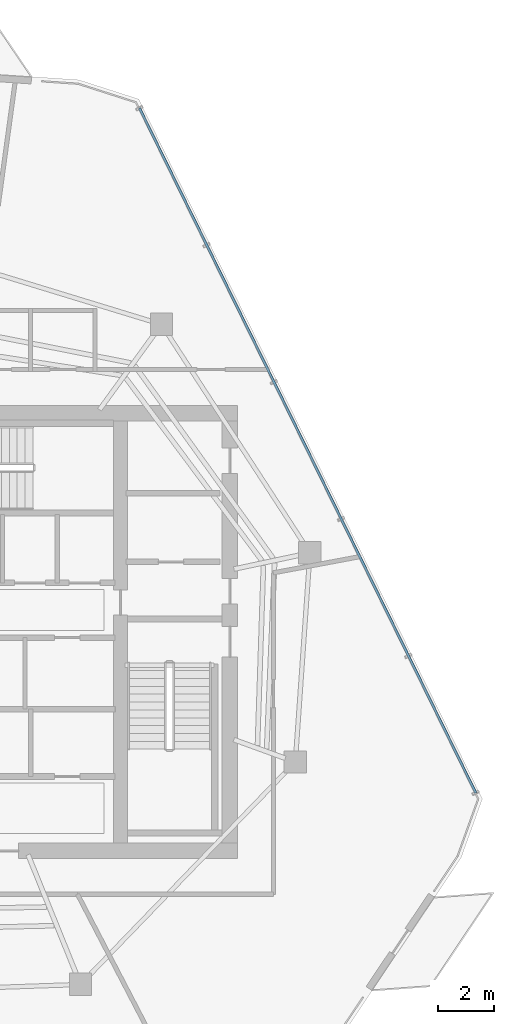
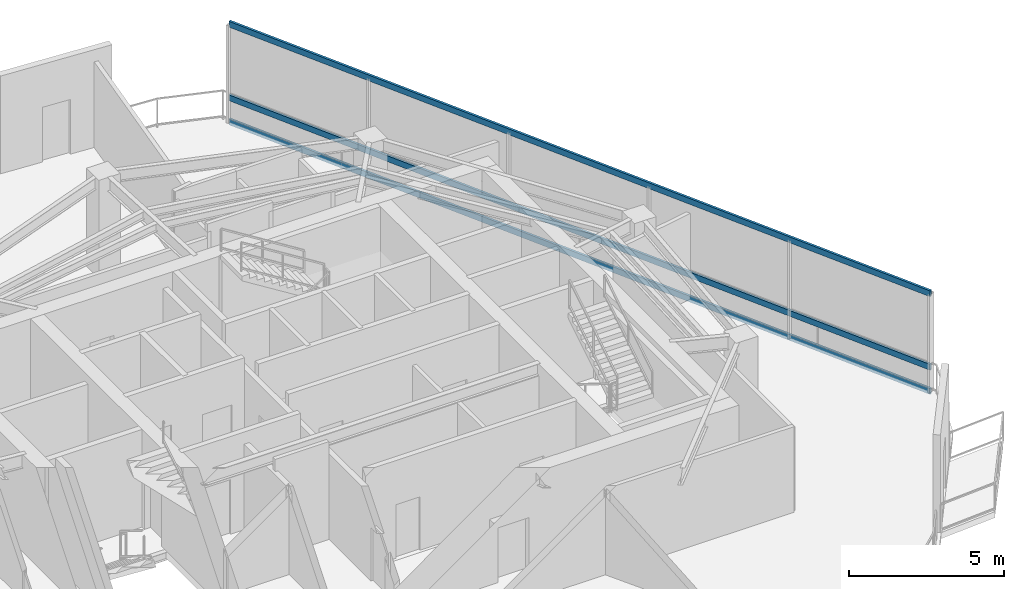
# One storey, part 11 of 18: 3 members, 1 element without a shape of its own.
"""IFC4 building model written with IfcOpenShell, lengths in metres."""

from ifc_helpers import new_model, si_unit, direction, frame, origin, origin_2d, place, context, subcontext, project, spatial, hollow_rectangle, extrude, material, layer, layer_set, material_profile, profile_set, type_object, element, aggregate, save


model = new_model("IFC4")

# Units and contexts
model_context = context("Model", 3, precision=1e-05, world=origin(), true_north=direction((0.0, 1.0)))
body_context = subcontext(model_context, "Body", "Model", "MODEL_VIEW")
ifc_project = project(units=[si_unit("LENGTHUNIT", "METRE"), si_unit("AREAUNIT", "SQUARE_METRE"), si_unit("VOLUMEUNIT", "CUBIC_METRE"), si_unit("PLANEANGLEUNIT", "RADIAN"), si_unit("MASSUNIT", "GRAM", prefix="KILO")], contexts=[model_context])

# Site, building, storey
site_placement = place(None, origin())
site = spatial("IfcSite", under=ifc_project, at=site_placement, CompositionType="ELEMENT")
building_placement = place(site_placement, origin())
building = spatial("IfcBuilding", under=site, at=building_placement, Name="Qarnah Convention Tower", CompositionType="ELEMENT")
storey_placement = place(building_placement, frame((0.0, 0.0, 279.300048828125)))
storey = spatial("IfcBuildingStorey", under=building, at=storey_placement, Name="L75", CompositionType="ELEMENT", Elevation=279.300048828125)

# Curtain wall, members
ifc_material_1 = material(Name="Tempered Low-E dark glass", Category="glass")
ifc_layer = layer(ifc_material_1, 0.177978515625)
ifc_layer_set = layer_set([ifc_layer], Name="Tempered Low-E dark glass")
curtain_wall_type = type_object("IfcCurtainWallType", Name="CWS-06", PredefinedType="NOTDEFINED", material=ifc_layer_set)
curtain_wall_placement = place(storey_placement, origin())
curtain_wall = element("IfcCurtainWall", 1, at=curtain_wall_placement, inside=storey, type_object=curtain_wall_type, Name="L75 unitised curtain wall CW-L75-F1", PredefinedType="NOTDEFINED")
ifc_material_2 = material(Name="Black anodised aluminium", Category="aluminium")
ifc_material_profile = material_profile(ifc_material_2, hollow_rectangle(XDim=0.0849609375, YDim=0.22998046875, WallThickness=0.006103515625, at=origin_2d()), Name="TRN-85X230")
ifc_profile_set = profile_set([ifc_material_profile], Name="Black anodised aluminium")
member_type = type_object("IfcMemberType", Name="TRN-T6", PredefinedType="USERDEFINED", material=ifc_profile_set)
member_1_placement = place(storey_placement, frame((44.376953125, 45.069091796875, 0.0), z_axis=(0.440833179881, -0.897589052694, 0.0), x_axis=(0.897589052694, 0.440833179881, 0.0)))
member_1 = element("IfcMember", 2, at=member_1_placement, type_object=member_type, Name="CW-L75-F1 transom 1", ObjectType="TRANSOM", PredefinedType="USERDEFINED", context=body_context, shape_type="SweptSolid", body=[
    extrude(hollow_rectangle(XDim=0.0849609375, YDim=0.22998046875, WallThickness=0.006103515625, at=origin_2d()), origin(), (0.0, 0.0, 1.0), 27.185302734375),
])
member_2_placement = place(storey_placement, frame((44.376953125, 45.069091796875, 0.949951171875), z_axis=(0.440833179881, -0.897589052694, 0.0), x_axis=(0.897589052694, 0.440833179881, 0.0)))
member_2 = element("IfcMember", 3, at=member_2_placement, type_object=member_type, Name="CW-L75-F1 transom 2", ObjectType="TRANSOM", PredefinedType="USERDEFINED", context=body_context, shape_type="SweptSolid", body=[
    extrude(hollow_rectangle(XDim=0.0849609375, YDim=0.22998046875, WallThickness=0.006103515625, at=origin_2d()), origin(), (0.0, 0.0, 1.0), 27.185302734375),
])
member_3_placement = place(storey_placement, frame((44.376953125, 45.069091796875, 3.83984375), z_axis=(0.440833179881, -0.897589052694, 0.0), x_axis=(0.897589052694, 0.440833179881, 0.0)))
member_3 = element("IfcMember", 4, at=member_3_placement, type_object=member_type, Name="CW-L75-F1 transom 3", ObjectType="TRANSOM", PredefinedType="USERDEFINED", context=body_context, shape_type="SweptSolid", body=[
    extrude(hollow_rectangle(XDim=0.0849609375, YDim=0.22998046875, WallThickness=0.006103515625, at=origin_2d()), origin(), (0.0, 0.0, 1.0), 27.185302734375),
])
aggregate(curtain_wall, [member_1, member_2, member_3])

save(model, "model.ifc")
